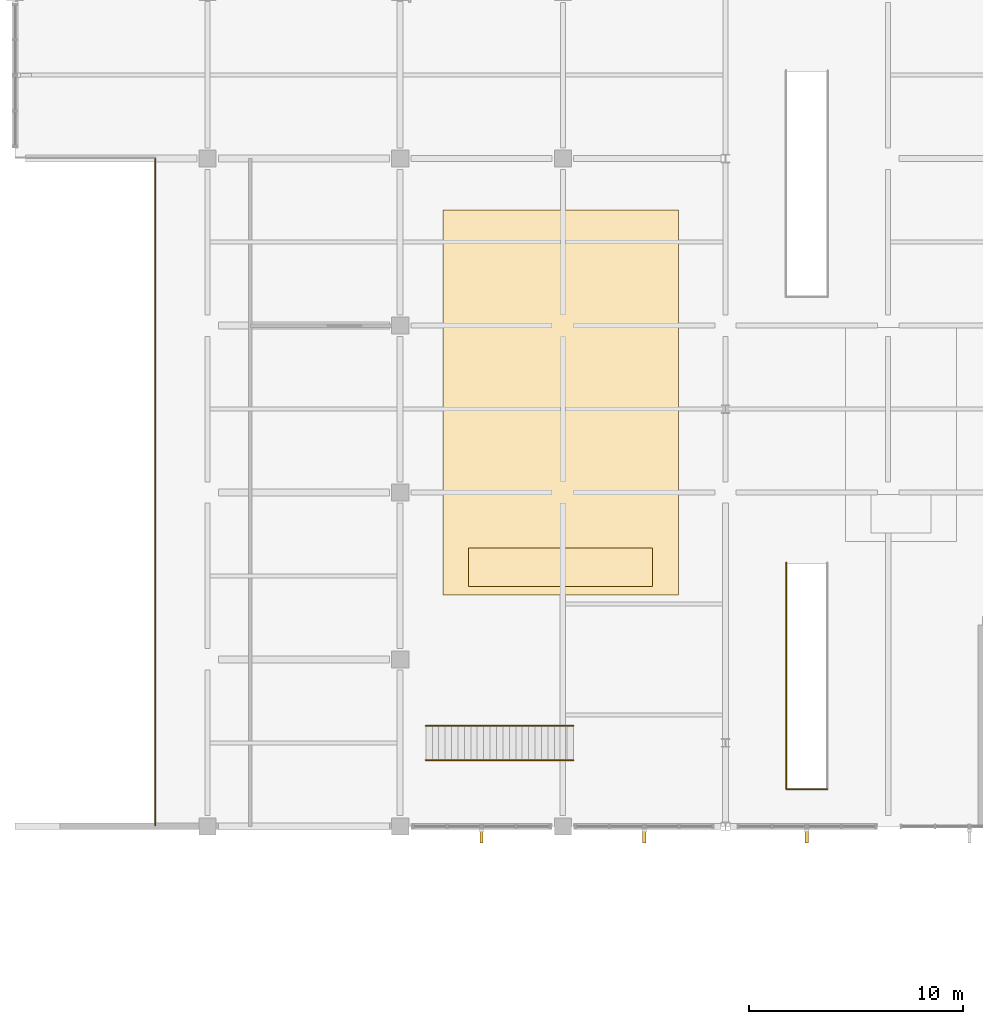
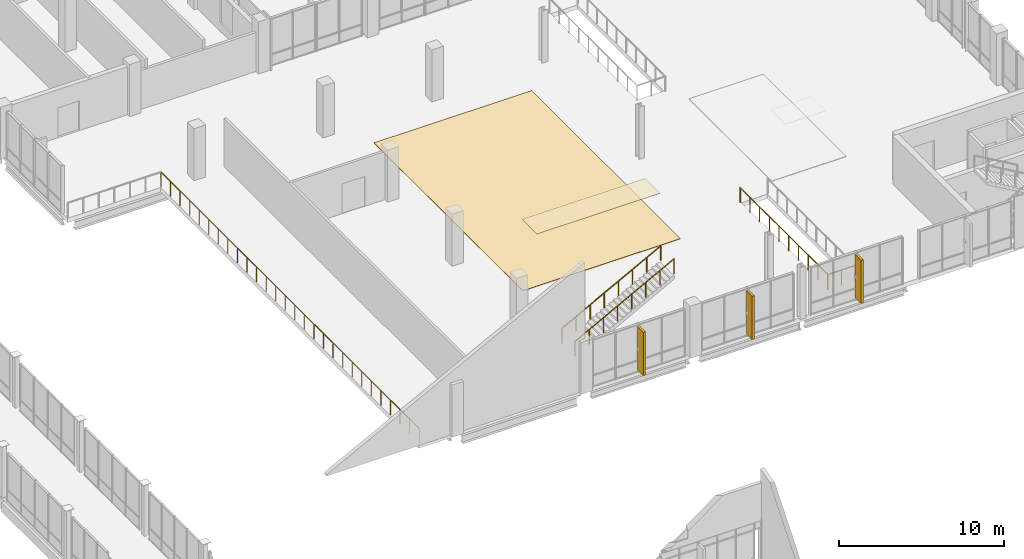
# One storey, part 78 of 85: 5 railings, 3 shading devices, 2 coverings.
"""IFC4 building model written with IfcOpenShell, lengths in metres."""

from ifc_helpers import new_model, si_unit, direction, frame, origin, origin_2d, place, context, subcontext, project, spatial, polyline, rectangle, circle, outline, extrude, material, layer, layer_set, type_object, element, save


model = new_model("IFC4")

# Units and contexts
model_context = context("Model", 3, precision=1e-05, world=origin(), true_north=direction((0.0, 1.0)))
body_context = subcontext(model_context, "Body", "Model", "MODEL_VIEW")
ifc_project = project(units=[si_unit("LENGTHUNIT", "METRE"), si_unit("AREAUNIT", "SQUARE_METRE"), si_unit("VOLUMEUNIT", "CUBIC_METRE"), si_unit("PLANEANGLEUNIT", "RADIAN"), si_unit("MASSUNIT", "GRAM", prefix="KILO")], contexts=[model_context])

# Site, building, storey
site_placement = place(None, origin())
site = spatial("IfcSite", under=ifc_project, at=site_placement, CompositionType="ELEMENT")
building_placement = place(site_placement, origin())
building = spatial("IfcBuilding", under=site, at=building_placement, Name="Vervanel Yard Central Library", CompositionType="ELEMENT")
storey_placement = place(building_placement, frame((0.0, 0.0, 5.10009765625)))
storey = spatial("IfcBuildingStorey", under=building, at=storey_placement, Name="L01", CompositionType="ELEMENT", Elevation=5.10009765625)

# Railings
ifc_material_1 = material(Name="Brushed stainless steel AISI 316", Category="steel")
railing_type_1 = type_object("IfcRailingType", Name="Glazed Atrium & Gallery Balustrade 1120", PredefinedType="BALUSTRADE", material=ifc_material_1)
railing_1_placement = place(storey_placement, frame((126.0400390625, 44.93994140625, 0.0)))
element("IfcRailing", 1, at=railing_1_placement, inside=storey, type_object=railing_type_1, Name="L01 Void Guard FST-01-L00-WELLGD S", PredefinedType="BALUSTRADE", context=body_context, shape_type="SweptSolid", body=[
    extrude(circle(Radius=0.02392578125, at=origin_2d()), frame((0.0, 0.0, 1.09619140625), z_axis=(1.0, 0.0, 0.0), x_axis=(0.0, 1.0, 0.0)), (0.0, 0.0, 1.0), 1.919921875),
    extrude(circle(Radius=0.02099609375, at=origin_2d()), origin(), (0.0, 0.0, 1.0), 1.072021484375),
    extrude(circle(Radius=0.02099609375, at=origin_2d()), frame((0.9599609375, 0.0, 0.0)), (0.0, 0.0, 1.0), 1.072021484375),
    extrude(circle(Radius=0.02099609375, at=origin_2d()), frame((1.919921875, 0.0, 0.0)), (0.0, 0.0, 1.0), 1.072021484375),
])
railing_2_placement = place(storey_placement, frame((126.0400390625, 55.52490234375, 0.0)))
element("IfcRailing", 2, at=railing_2_placement, inside=storey, type_object=railing_type_1, Name="L01 Void Guard FST-01-L00-WELLGD W", PredefinedType="BALUSTRADE", context=body_context, shape_type="SweptSolid", body=[
    extrude(circle(Radius=0.02392578125, at=origin_2d()), frame((0.0, 0.0, 1.09619140625), z_axis=(0.0, -1.0, 0.0), x_axis=(1.0, 0.0, 0.0)), (0.0, 0.0, 1.0), 10.5849609375),
    extrude(circle(Radius=0.02099609375, at=origin_2d()), origin(), (0.0, 0.0, 1.0), 1.072021484375),
    extrude(circle(Radius=0.02099609375, at=origin_2d()), frame((0.0, -1.176025390625, 0.0)), (0.0, 0.0, 1.0), 1.072021484375),
    extrude(circle(Radius=0.02099609375, at=origin_2d()), frame((0.0, -2.352294921875, 0.0)), (0.0, 0.0, 1.0), 1.072021484375),
    extrude(circle(Radius=0.02099609375, at=origin_2d()), frame((0.0, -3.5283203125, 0.0)), (0.0, 0.0, 1.0), 1.072021484375),
    extrude(circle(Radius=0.02099609375, at=origin_2d()), frame((0.0, -4.704345703125, 0.0)), (0.0, 0.0, 1.0), 1.072021484375),
    extrude(circle(Radius=0.02099609375, at=origin_2d()), frame((0.0, -5.880615234375, 0.0)), (0.0, 0.0, 1.0), 1.072021484375),
    extrude(circle(Radius=0.02099609375, at=origin_2d()), frame((0.0, -7.056640625, 0.0)), (0.0, 0.0, 1.0), 1.072021484375),
    extrude(circle(Radius=0.02099609375, at=origin_2d()), frame((0.0, -8.232666015625, 0.0)), (0.0, 0.0, 1.0), 1.072021484375),
    extrude(circle(Radius=0.02099609375, at=origin_2d()), frame((0.0, -9.408935546875, 0.0)), (0.0, 0.0, 1.0), 1.072021484375),
    extrude(circle(Radius=0.02099609375, at=origin_2d()), frame((0.0, -10.5849609375, 0.0)), (0.0, 0.0, 1.0), 1.072021484375),
])
railing_3_placement = place(storey_placement, frame((96.550048828125, 43.239990234375, 0.0)))
element("IfcRailing", 3, at=railing_3_placement, inside=storey, type_object=railing_type_1, Name="L01 Perimeter Gap Guard V3-L01-STEP-W", PredefinedType="BALUSTRADE", context=body_context, shape_type="SweptSolid", body=[
    extrude(circle(Radius=0.02392578125, at=origin_2d()), frame((0.0, 0.0, 1.09619140625), z_axis=(0.0, 1.0, 0.0), x_axis=(-1.0, 0.0, 0.0)), (0.0, 0.0, 1.0), 31.2099609375),
    extrude(circle(Radius=0.02099609375, at=origin_2d()), origin(), (0.0, 0.0, 1.0), 1.072021484375),
    extrude(circle(Radius=0.02099609375, at=origin_2d()), frame((0.0, 1.156005859375, 0.0)), (0.0, 0.0, 1.0), 1.072021484375),
    extrude(circle(Radius=0.02099609375, at=origin_2d()), frame((0.0, 2.311767578125, 0.0)), (0.0, 0.0, 1.0), 1.072021484375),
    extrude(circle(Radius=0.02099609375, at=origin_2d()), frame((0.0, 3.4677734375, 0.0)), (0.0, 0.0, 1.0), 1.072021484375),
    extrude(circle(Radius=0.02099609375, at=origin_2d()), frame((0.0, 4.623779296875, 0.0)), (0.0, 0.0, 1.0), 1.072021484375),
    extrude(circle(Radius=0.02099609375, at=origin_2d()), frame((0.0, 5.779541015625, 0.0)), (0.0, 0.0, 1.0), 1.072021484375),
    extrude(circle(Radius=0.02099609375, at=origin_2d()), frame((0.0, 6.935546875, 0.0)), (0.0, 0.0, 1.0), 1.072021484375),
    extrude(circle(Radius=0.02099609375, at=origin_2d()), frame((0.0, 8.091552734375, 0.0)), (0.0, 0.0, 1.0), 1.072021484375),
    extrude(circle(Radius=0.02099609375, at=origin_2d()), frame((0.0, 9.247314453125, 0.0)), (0.0, 0.0, 1.0), 1.072021484375),
    extrude(circle(Radius=0.02099609375, at=origin_2d()), frame((0.0, 10.4033203125, 0.0)), (0.0, 0.0, 1.0), 1.072021484375),
    extrude(circle(Radius=0.02099609375, at=origin_2d()), frame((0.0, 11.559326171875, 0.0)), (0.0, 0.0, 1.0), 1.072021484375),
    extrude(circle(Radius=0.02099609375, at=origin_2d()), frame((0.0, 12.715087890625, 0.0)), (0.0, 0.0, 1.0), 1.072021484375),
    extrude(circle(Radius=0.02099609375, at=origin_2d()), frame((0.0, 13.87109375, 0.0)), (0.0, 0.0, 1.0), 1.072021484375),
    extrude(circle(Radius=0.02099609375, at=origin_2d()), frame((0.0, 15.027099609375, 0.0)), (0.0, 0.0, 1.0), 1.072021484375),
    extrude(circle(Radius=0.02099609375, at=origin_2d()), frame((0.0, 16.182861328125, 0.0)), (0.0, 0.0, 1.0), 1.072021484375),
    extrude(circle(Radius=0.02099609375, at=origin_2d()), frame((0.0, 17.3388671875, 0.0)), (0.0, 0.0, 1.0), 1.072021484375),
    extrude(circle(Radius=0.02099609375, at=origin_2d()), frame((0.0, 18.494873046875, 0.0)), (0.0, 0.0, 1.0), 1.072021484375),
    extrude(circle(Radius=0.02099609375, at=origin_2d()), frame((0.0, 19.650634765625, 0.0)), (0.0, 0.0, 1.0), 1.072021484375),
    extrude(circle(Radius=0.02099609375, at=origin_2d()), frame((0.0, 20.806640625, 0.0)), (0.0, 0.0, 1.0), 1.072021484375),
    extrude(circle(Radius=0.02099609375, at=origin_2d()), frame((0.0, 21.962646484375, 0.0)), (0.0, 0.0, 1.0), 1.072021484375),
    extrude(circle(Radius=0.02099609375, at=origin_2d()), frame((0.0, 23.118408203125, 0.0)), (0.0, 0.0, 1.0), 1.072021484375),
    extrude(circle(Radius=0.02099609375, at=origin_2d()), frame((0.0, 24.2744140625, 0.0)), (0.0, 0.0, 1.0), 1.072021484375),
    extrude(circle(Radius=0.02099609375, at=origin_2d()), frame((0.0, 25.430419921875, 0.0)), (0.0, 0.0, 1.0), 1.072021484375),
    extrude(circle(Radius=0.02099609375, at=origin_2d()), frame((0.0, 26.586181640625, 0.0)), (0.0, 0.0, 1.0), 1.072021484375),
    extrude(circle(Radius=0.02099609375, at=origin_2d()), frame((0.0, 27.7421875, 0.0)), (0.0, 0.0, 1.0), 1.072021484375),
    extrude(circle(Radius=0.02099609375, at=origin_2d()), frame((0.0, 28.898193359375, 0.0)), (0.0, 0.0, 1.0), 1.072021484375),
    extrude(circle(Radius=0.02099609375, at=origin_2d()), frame((0.0, 30.053955078125, 0.0)), (0.0, 0.0, 1.0), 1.072021484375),
    extrude(circle(Radius=0.02099609375, at=origin_2d()), frame((0.0, 31.2099609375, 0.0)), (0.0, 0.0, 1.0), 1.072021484375),
])
ifc_material_2 = material(Name="Galvanized painted steelwork ASTM A500 Grade C", Category="steel")
railing_type_2 = type_object("IfcRailingType", Name="Painted Steel Guardrail 1100", PredefinedType="GUARDRAIL", material=ifc_material_2)
for number, where, name in (
    (4, (109.199951171875, 47.89990234375, 0.159912109375), "L01 Feature Stair Guard FST-03-L01 F1 L"),
    (5, (109.199951171875, 46.300048828125, 0.159912109375), "L01 Feature Stair Guard FST-03-L01 F1 R"),
):
    element("IfcRailing", number, at=place(storey_placement, frame(where)), inside=storey, type_object=railing_type_2, Name=name, PredefinedType="GUARDRAIL", context=body_context, shape_type="SweptSolid", body=[
        extrude(circle(Radius=0.02392578125, at=origin_2d()), frame((0.0, 0.0, 1.076171875), z_axis=(0.88236071896, 0.0, 0.47057365166), x_axis=(0.0, 1.0, 0.0)), (0.0, 0.0, 1.0), 7.820068359375),
        extrude(circle(Radius=0.02099609375, at=origin_2d()), origin(), (0.0, 0.0, 1.0), 1.052001953125),
        extrude(circle(Radius=0.02099609375, at=origin_2d()), frame((0.98583984375, 0.0, 0.525634765625)), (0.0, 0.0, 1.0), 1.052001953125),
        extrude(circle(Radius=0.02099609375, at=origin_2d()), frame((1.971435546875, 0.0, 1.051513671875)), (0.0, 0.0, 1.0), 1.052001953125),
        extrude(circle(Radius=0.02099609375, at=origin_2d()), frame((2.957275390625, 0.0, 1.5771484375)), (0.0, 0.0, 1.0), 1.052001953125),
        extrude(circle(Radius=0.02099609375, at=origin_2d()), frame((3.94287109375, 0.0, 2.102783203125)), (0.0, 0.0, 1.0), 1.052001953125),
        extrude(circle(Radius=0.02099609375, at=origin_2d()), frame((4.9287109375, 0.0, 2.62841796875)), (0.0, 0.0, 1.0), 1.052001953125),
        extrude(circle(Radius=0.02099609375, at=origin_2d()), frame((5.914306640625, 0.0, 3.154296875)), (0.0, 0.0, 1.0), 1.052001953125),
        extrude(circle(Radius=0.02099609375, at=origin_2d()), frame((6.900146484375, 0.0, 3.679931640625)), (0.0, 0.0, 1.0), 1.052001953125),
    ])

# Coverings
ifc_material_3 = material(Name="Polished river-stone terrazzo flooring", Category="masonry")
ifc_layer_1 = layer(ifc_material_3, 0.02490234375, Category="masonry")
ifc_layer_set_1 = layer_set([ifc_layer_1], Name="Polished river-stone terrazzo flooring")
covering_type_1 = type_object("IfcCoveringType", Name="Polished River-Stone Terrazzo Flooring 25", PredefinedType="FLOORING", material=ifc_layer_set_1)
covering_1_placement = place(storey_placement, origin())
element("IfcCovering", 6, at=covering_1_placement, inside=storey, type_object=covering_type_1, Name="L01 Terrazzo Flooring Bay 8", PredefinedType="FLOORING", context=body_context, shape_type="SweptSolid", body=[
    extrude(outline(polyline([(110.0, 54.0), (121.0, 54.0), (121.0, 72.0), (110.0, 72.0), (110.0, 54.0)])), origin(), (0.0, 0.0, 1.0), 0.02490234375),
])
ifc_material_4 = material(Name="Perforated mineral-fibre acoustic ceiling", Category="gypsum")
ifc_layer_2 = layer(ifc_material_4, 0.034912109375, Category="gypsum")
ifc_layer_set_2 = layer_set([ifc_layer_2], Name="Perforated mineral-fibre acoustic ceiling")
covering_type_2 = type_object("IfcCoveringType", Name="Suspended Mineral Acoustic Ceiling 35", PredefinedType="CEILING", material=ifc_layer_set_2)
covering_2_placement = place(storey_placement, frame((0.0, 0.0, 3.514892578125)))
element("IfcCovering", 7, at=covering_2_placement, inside=storey, type_object=covering_type_2, Name="L01 Acoustic Ceiling Bay 8", PredefinedType="CEILING", context=body_context, shape_type="SweptSolid", body=[
    extrude(outline(polyline([(111.199951171875, 54.39990234375), (119.800048828125, 54.39990234375), (119.800048828125, 56.199951171875), (111.199951171875, 56.199951171875), (111.199951171875, 54.39990234375)])), origin(), (0.0, 0.0, 1.0), 0.034912109375),
])

# Shading devices
ifc_material_5 = material(Name="Precast concrete C45/55", Category="concrete")
shading_device_type = type_object("IfcShadingDeviceType", Name="Vertical Precast Solar Fin 160x720x3200", PredefinedType="JALOUSIE", material=ifc_material_5)
for number, where, z_axis, x_axis, name in (
    (8, (111.800048828125, 42.7900390625, 0.1650390625), (0.0, 0.0, 1.0), (1.0, 0.0, 0.0), "L01 Precast Solar Fin 449"),
    (9, (119.39990234375, 42.7900390625, 0.1650390625), (0.0, 0.0, 1.0), (1.0, 0.0, 0.0), "L01 Precast Solar Fin 450"),
    (10, (127.0, 42.7900390625, 0.1650390625), (0.0, 0.0, 1.0), (1.0, 0.0, 0.0), "L01 Precast Solar Fin 451"),
):
    element("IfcShadingDevice", number, at=place(storey_placement, frame(where, z_axis=z_axis, x_axis=x_axis)), inside=storey, type_object=shading_device_type, Name=name, PredefinedType="JALOUSIE", context=body_context, shape_type="SweptSolid", body=[
        extrude(rectangle(XDim=0.159912109375, YDim=0.719970703125, at=origin_2d()), origin(), (0.0, 0.0, 1.0), 3.199951171875),
    ])

save(model, "model.ifc")
